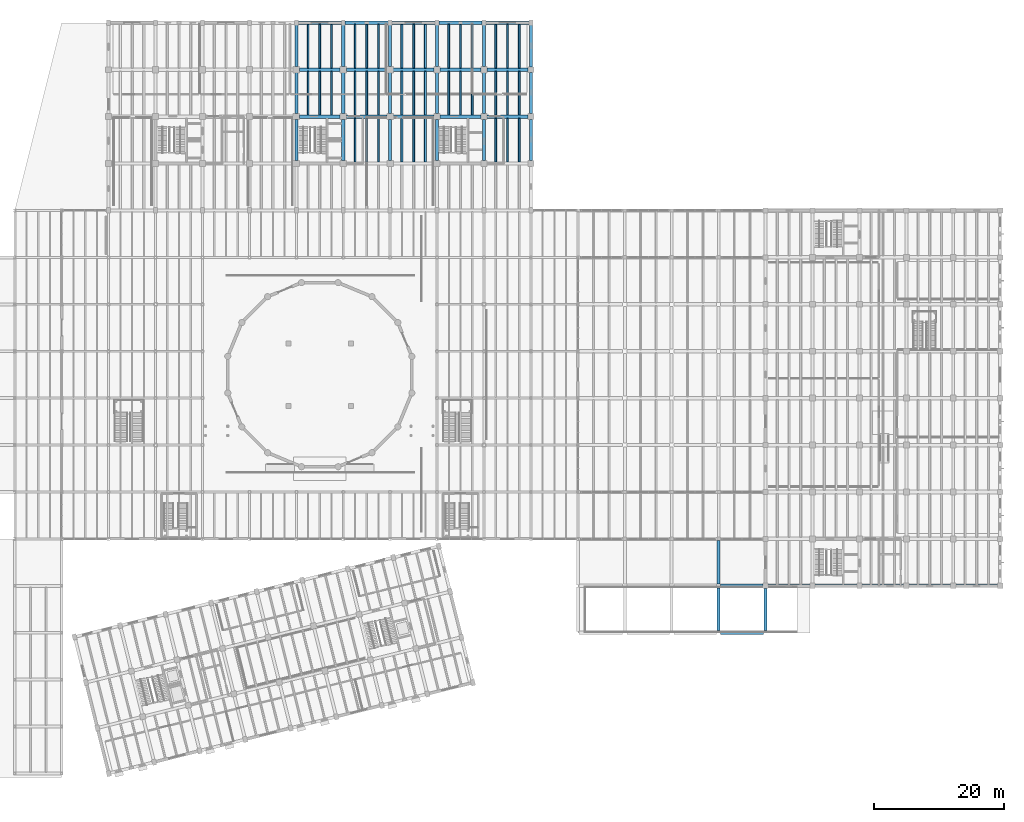
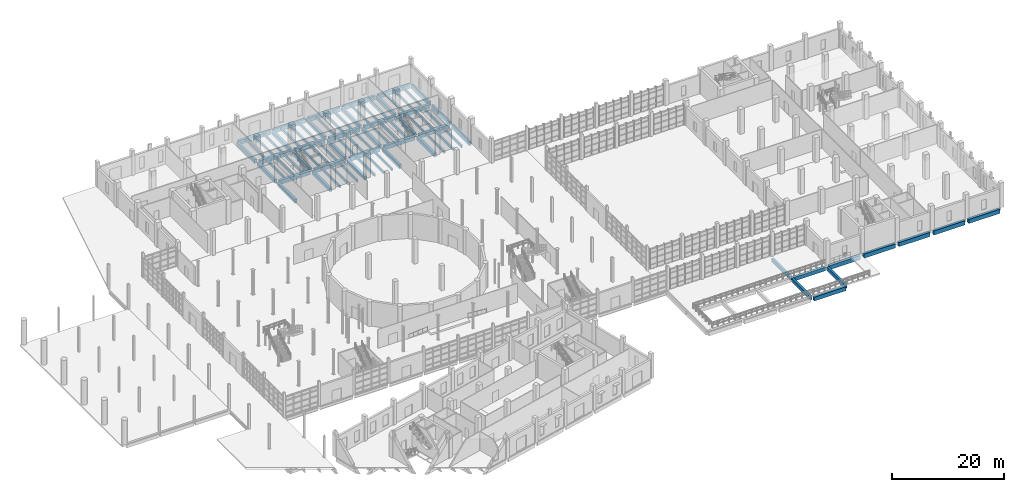
# One storey, part 41 of 79: 82 beams.
"""IFC4 building model written with IfcOpenShell, lengths in metres."""

from ifc_helpers import new_model, si_unit, direction, frame, origin, origin_2d, place, context, subcontext, project, spatial, rectangle, extrude, material, material_profile, profile_set, type_object, element, save


model = new_model("IFC4")

# Units and contexts
model_context = context("Model", 3, precision=1e-05, world=origin(), true_north=direction((0.0, 1.0)))
body_context = subcontext(model_context, "Body", "Model", "MODEL_VIEW")
ifc_project = project(units=[si_unit("LENGTHUNIT", "METRE"), si_unit("AREAUNIT", "SQUARE_METRE"), si_unit("VOLUMEUNIT", "CUBIC_METRE"), si_unit("PLANEANGLEUNIT", "RADIAN"), si_unit("MASSUNIT", "GRAM", prefix="KILO")], contexts=[model_context])

# Site, building, storey
site_placement = place(None, origin())
site = spatial("IfcSite", under=ifc_project, at=site_placement, CompositionType="ELEMENT")
building_placement = place(site_placement, origin())
building = spatial("IfcBuilding", under=site, at=building_placement, Name="Qiaolan Assembly House", CompositionType="ELEMENT")
storey_placement = place(building_placement, origin())
storey = spatial("IfcBuildingStorey", under=building, at=storey_placement, Name="L00", CompositionType="ELEMENT", Elevation=0.0)

# Beams
ifc_material_1 = material(Name="Concrete C40/50", Category="concrete")
ifc_material_profile_1 = material_profile(ifc_material_1, rectangle(XDim=0.449951171875, YDim=0.800048828125, at=origin_2d()), Name="RCB 450x800")
ifc_profile_set_1 = profile_set([ifc_material_profile_1], Name="Concrete C40/50")
beam_type_1 = type_object("IfcBeamType", Name="BM-RC-450x800", PredefinedType="BEAM", material=ifc_profile_set_1)
beam_1_placement = place(storey_placement, frame((129.60009765625, 21.9150390625, -0.739990234375), z_axis=(0.0, 1.0, 0.0), x_axis=(-1.0, 0.0, 0.0)))
element("IfcBeam", 1, at=beam_1_placement, inside=storey, type_object=beam_type_1, Name="GB-03 beam BMY-APR0-L00-03-00", PredefinedType="BEAM", context=body_context, shape_type="SweptSolid", body=[
    extrude(rectangle(XDim=0.449951171875, YDim=0.800048828125, at=origin_2d()), origin(), (0.0, 0.0, 1.0), 6.570068359375),
])
beam_2_placement = place(storey_placement, frame((129.60009765625, 29.114990234375, -0.739990234375), z_axis=(0.0, 1.0, 0.0), x_axis=(-1.0, 0.0, 0.0)))
element("IfcBeam", 2, at=beam_2_placement, inside=storey, type_object=beam_type_1, Name="GB-03 beam BMY-APR0-L00-03-01", PredefinedType="BEAM", context=body_context, shape_type="SweptSolid", body=[
    extrude(rectangle(XDim=0.449951171875, YDim=0.800048828125, at=origin_2d()), origin(), (0.0, 0.0, 1.0), 6.635009765625),
])
beam_3_placement = place(storey_placement, frame((136.800048828125, 21.9150390625, -0.739990234375), z_axis=(0.0, 1.0, 0.0), x_axis=(-1.0, 0.0, 0.0)))
element("IfcBeam", 3, at=beam_3_placement, inside=storey, type_object=beam_type_1, Name="GB-03 beam BMY-APR0-L00-04-00", PredefinedType="BEAM", context=body_context, shape_type="SweptSolid", body=[
    extrude(rectangle(XDim=0.449951171875, YDim=0.800048828125, at=origin_2d()), origin(), (0.0, 0.0, 1.0), 6.494873046875),
])
ifc_material_2 = material(Name="Concrete C45/55", Category="concrete")
ifc_material_profile_2 = material_profile(ifc_material_2, rectangle(XDim=0.47998046875, YDim=0.81005859375, at=origin_2d()), Name="RCB 480x810")
ifc_profile_set_2 = profile_set([ifc_material_profile_2], Name="Concrete C45/55")
beam_type_2 = type_object("IfcBeamType", Name="BM-RC-480x810", PredefinedType="BEAM", material=ifc_profile_set_2)
for number, where, z_axis, x_axis, name in (
    (4, (64.800048828125, 94.06494140625, -0.655029296875), (0.0, 1.0, 0.0), (-1.0, 0.0, 0.0), "GB-11 beam BMY-NW-L00-04-01"),
    (5, (64.800048828125, 101.264892578125, -0.655029296875), (0.0, 1.0, 0.0), (-1.0, 0.0, 0.0), "GB-11 beam BMY-NW-L00-04-02"),
):
    element("IfcBeam", number, at=place(storey_placement, frame(where, z_axis=z_axis, x_axis=x_axis)), inside=storey, type_object=beam_type_2, Name=name, PredefinedType="BEAM", context=body_context, shape_type="SweptSolid", body=[
        extrude(rectangle(XDim=0.47998046875, YDim=0.81005859375, at=origin_2d()), origin(), (0.0, 0.0, 1.0), 6.27001953125),
    ])
beam_4_placement = place(storey_placement, frame((64.800048828125, 108.465087890625, -0.655029296875), z_axis=(0.0, 1.0, 0.0), x_axis=(-1.0, 0.0, 0.0)))
element("IfcBeam", 6, at=beam_4_placement, inside=storey, type_object=beam_type_2, Name="GB-11 beam BMY-NW-L00-04-03", PredefinedType="BEAM", context=body_context, shape_type="SweptSolid", body=[
    extrude(rectangle(XDim=0.47998046875, YDim=0.81005859375, at=origin_2d()), origin(), (0.0, 0.0, 1.0), 6.44482421875),
])
for number, where, z_axis, x_axis, name in (
    (7, (72.0, 94.06494140625, -0.655029296875), (0.0, 1.0, 0.0), (-1.0, 0.0, 0.0), "GB-11 beam BMY-NW-L00-05-01"),
    (8, (72.0, 101.264892578125, -0.655029296875), (0.0, 1.0, 0.0), (-1.0, 0.0, 0.0), "GB-11 beam BMY-NW-L00-05-02"),
):
    element("IfcBeam", number, at=place(storey_placement, frame(where, z_axis=z_axis, x_axis=x_axis)), inside=storey, type_object=beam_type_2, Name=name, PredefinedType="BEAM", context=body_context, shape_type="SweptSolid", body=[
        extrude(rectangle(XDim=0.47998046875, YDim=0.81005859375, at=origin_2d()), origin(), (0.0, 0.0, 1.0), 6.27001953125),
    ])
beam_5_placement = place(storey_placement, frame((72.0, 108.465087890625, -0.655029296875), z_axis=(0.0, 1.0, 0.0), x_axis=(-1.0, 0.0, 0.0)))
element("IfcBeam", 9, at=beam_5_placement, inside=storey, type_object=beam_type_2, Name="GB-11 beam BMY-NW-L00-05-03", PredefinedType="BEAM", context=body_context, shape_type="SweptSolid", body=[
    extrude(rectangle(XDim=0.47998046875, YDim=0.81005859375, at=origin_2d()), origin(), (0.0, 0.0, 1.0), 6.44482421875),
])
for number, where, z_axis, x_axis, name in (
    (10, (79.199951171875, 94.06494140625, -0.655029296875), (0.0, 1.0, 0.0), (-1.0, 0.0, 0.0), "GB-11 beam BMY-NW-L00-06-01"),
    (11, (79.199951171875, 101.264892578125, -0.655029296875), (0.0, 1.0, 0.0), (-1.0, 0.0, 0.0), "GB-11 beam BMY-NW-L00-06-02"),
):
    element("IfcBeam", number, at=place(storey_placement, frame(where, z_axis=z_axis, x_axis=x_axis)), inside=storey, type_object=beam_type_2, Name=name, PredefinedType="BEAM", context=body_context, shape_type="SweptSolid", body=[
        extrude(rectangle(XDim=0.47998046875, YDim=0.81005859375, at=origin_2d()), origin(), (0.0, 0.0, 1.0), 6.27001953125),
    ])
beam_6_placement = place(storey_placement, frame((79.199951171875, 108.465087890625, -0.655029296875), z_axis=(0.0, 1.0, 0.0), x_axis=(-1.0, 0.0, 0.0)))
element("IfcBeam", 12, at=beam_6_placement, inside=storey, type_object=beam_type_2, Name="GB-11 beam BMY-NW-L00-06-03", PredefinedType="BEAM", context=body_context, shape_type="SweptSolid", body=[
    extrude(rectangle(XDim=0.47998046875, YDim=0.81005859375, at=origin_2d()), origin(), (0.0, 0.0, 1.0), 6.44482421875),
])
for number, where, z_axis, x_axis, name in (
    (13, (86.39990234375, 94.06494140625, -0.655029296875), (0.0, 1.0, 0.0), (-1.0, 0.0, 0.0), "GB-11 beam BMY-NW-L00-07-01"),
    (14, (86.39990234375, 101.264892578125, -0.655029296875), (0.0, 1.0, 0.0), (-1.0, 0.0, 0.0), "GB-11 beam BMY-NW-L00-07-02"),
):
    element("IfcBeam", number, at=place(storey_placement, frame(where, z_axis=z_axis, x_axis=x_axis)), inside=storey, type_object=beam_type_2, Name=name, PredefinedType="BEAM", context=body_context, shape_type="SweptSolid", body=[
        extrude(rectangle(XDim=0.47998046875, YDim=0.81005859375, at=origin_2d()), origin(), (0.0, 0.0, 1.0), 6.27001953125),
    ])
beam_7_placement = place(storey_placement, frame((86.39990234375, 108.465087890625, -0.655029296875), z_axis=(0.0, 1.0, 0.0), x_axis=(-1.0, 0.0, 0.0)))
element("IfcBeam", 15, at=beam_7_placement, inside=storey, type_object=beam_type_2, Name="GB-11 beam BMY-NW-L00-07-03", PredefinedType="BEAM", context=body_context, shape_type="SweptSolid", body=[
    extrude(rectangle(XDim=0.47998046875, YDim=0.81005859375, at=origin_2d()), origin(), (0.0, 0.0, 1.0), 6.44482421875),
])
for number, where, z_axis, x_axis, name in (
    (16, (93.60009765625, 94.06494140625, -0.655029296875), (0.0, 1.0, 0.0), (-1.0, 0.0, 0.0), "GB-11 beam BMY-NW-L00-08-01"),
    (17, (93.60009765625, 101.264892578125, -0.655029296875), (0.0, 1.0, 0.0), (-1.0, 0.0, 0.0), "GB-11 beam BMY-NW-L00-08-02"),
):
    element("IfcBeam", number, at=place(storey_placement, frame(where, z_axis=z_axis, x_axis=x_axis)), inside=storey, type_object=beam_type_2, Name=name, PredefinedType="BEAM", context=body_context, shape_type="SweptSolid", body=[
        extrude(rectangle(XDim=0.47998046875, YDim=0.81005859375, at=origin_2d()), origin(), (0.0, 0.0, 1.0), 6.27001953125),
    ])
beam_8_placement = place(storey_placement, frame((93.60009765625, 108.465087890625, -0.655029296875), z_axis=(0.0, 1.0, 0.0), x_axis=(-1.0, 0.0, 0.0)))
element("IfcBeam", 18, at=beam_8_placement, inside=storey, type_object=beam_type_2, Name="GB-11 beam BMY-NW-L00-08-03", PredefinedType="BEAM", context=body_context, shape_type="SweptSolid", body=[
    extrude(rectangle(XDim=0.47998046875, YDim=0.81005859375, at=origin_2d()), origin(), (0.0, 0.0, 1.0), 6.44482421875),
])
for number, where, z_axis, x_axis, name in (
    (19, (100.800048828125, 94.0400390625, -0.655029296875), (0.0, 1.0, 0.0), (-1.0, 0.0, 0.0), "GB-11 beam BMY-NW-L00-09-01"),
    (20, (100.800048828125, 101.239990234375, -0.655029296875), (0.0, 1.0, 0.0), (-1.0, 0.0, 0.0), "GB-11 beam BMY-NW-L00-09-02"),
):
    element("IfcBeam", number, at=place(storey_placement, frame(where, z_axis=z_axis, x_axis=x_axis)), inside=storey, type_object=beam_type_2, Name=name, PredefinedType="BEAM", context=body_context, shape_type="SweptSolid", body=[
        extrude(rectangle(XDim=0.47998046875, YDim=0.81005859375, at=origin_2d()), origin(), (0.0, 0.0, 1.0), 6.320068359375),
    ])
beam_9_placement = place(storey_placement, frame((100.800048828125, 108.43994140625, -0.655029296875), z_axis=(0.0, 1.0, 0.0), x_axis=(-1.0, 0.0, 0.0)))
element("IfcBeam", 21, at=beam_9_placement, inside=storey, type_object=beam_type_2, Name="GB-11 beam BMY-NW-L00-09-03", PredefinedType="BEAM", context=body_context, shape_type="SweptSolid", body=[
    extrude(rectangle(XDim=0.47998046875, YDim=0.81005859375, at=origin_2d()), origin(), (0.0, 0.0, 1.0), 6.469970703125),
])
ifc_material_profile_3 = material_profile(ifc_material_2, rectangle(XDim=0.5, YDim=0.85009765625, at=origin_2d()), Name="RCB 500x850")
ifc_profile_set_3 = profile_set([ifc_material_profile_3], Name="Concrete C45/55")
beam_type_3 = type_object("IfcBeamType", Name="BM-RC-500x850", PredefinedType="BEAM", material=ifc_profile_set_3)
beam_10_placement = place(storey_placement, frame((129.9150390625, 21.60009765625, -0.764892578125), z_axis=(1.0, 0.0, 0.0), x_axis=(0.0, 1.0, 0.0)))
element("IfcBeam", 22, at=beam_10_placement, inside=storey, type_object=beam_type_3, Name="GB-02 beam BMX-APR0-L00-03-00", PredefinedType="BEAM", context=body_context, shape_type="SweptSolid", body=[
    extrude(rectangle(XDim=0.5, YDim=0.85009765625, at=origin_2d()), origin(), (0.0, 0.0, 1.0), 6.570068359375),
])
beam_11_placement = place(storey_placement, frame((129.9150390625, 28.800048828125, -0.764892578125), z_axis=(1.0, 0.0, 0.0), x_axis=(0.0, 1.0, 0.0)))
element("IfcBeam", 23, at=beam_11_placement, inside=storey, type_object=beam_type_3, Name="GB-02 beam BMX-APR0-L00-03-01", PredefinedType="BEAM", context=body_context, shape_type="SweptSolid", body=[
    extrude(rectangle(XDim=0.5, YDim=0.85009765625, at=origin_2d()), origin(), (0.0, 0.0, 1.0), 6.494873046875),
])
ifc_material_profile_4 = material_profile(ifc_material_2, rectangle(XDim=0.52001953125, YDim=0.8798828125, at=origin_2d()), Name="RCB 520x880")
ifc_profile_set_4 = profile_set([ifc_material_profile_4], Name="Concrete C45/55")
beam_type_4 = type_object("IfcBeamType", Name="BM-RC-520x880", PredefinedType="BEAM", material=ifc_profile_set_4)
for number, where, z_axis, x_axis, name in (
    (24, (65.264892578125, 100.800048828125, -0.68994140625), (1.0, 0.0, 0.0), (0.0, 1.0, 0.0), "GB-10 beam BMX-NW-L00-04-02"),
    (25, (72.465087890625, 100.800048828125, -0.68994140625), (1.0, 0.0, 0.0), (0.0, 1.0, 0.0), "GB-10 beam BMX-NW-L00-05-02"),
    (26, (79.6650390625, 100.800048828125, -0.68994140625), (1.0, 0.0, 0.0), (0.0, 1.0, 0.0), "GB-10 beam BMX-NW-L00-06-02"),
    (27, (86.864990234375, 100.800048828125, -0.68994140625), (1.0, 0.0, 0.0), (0.0, 1.0, 0.0), "GB-10 beam BMX-NW-L00-07-02"),
):
    element("IfcBeam", number, at=place(storey_placement, frame(where, z_axis=z_axis, x_axis=x_axis)), inside=storey, type_object=beam_type_4, Name=name, PredefinedType="BEAM", context=body_context, shape_type="SweptSolid", body=[
        extrude(rectangle(XDim=0.52001953125, YDim=0.8798828125, at=origin_2d()), origin(), (0.0, 0.0, 1.0), 6.27001953125),
    ])
beam_12_placement = place(storey_placement, frame((94.06494140625, 100.800048828125, -0.68994140625), z_axis=(1.0, 0.0, 0.0), x_axis=(0.0, 1.0, 0.0)))
element("IfcBeam", 28, at=beam_12_placement, inside=storey, type_object=beam_type_4, Name="GB-10 beam BMX-NW-L00-08-02", PredefinedType="BEAM", context=body_context, shape_type="SweptSolid", body=[
    extrude(rectangle(XDim=0.52001953125, YDim=0.8798828125, at=origin_2d()), origin(), (0.0, 0.0, 1.0), 6.295166015625),
])
for number, where, z_axis, x_axis, name in (
    (29, (65.264892578125, 108.0, -0.68994140625), (1.0, 0.0, 0.0), (0.0, 1.0, 0.0), "GB-10 beam BMX-NW-L00-04-03"),
    (30, (72.465087890625, 108.0, -0.68994140625), (1.0, 0.0, 0.0), (0.0, 1.0, 0.0), "GB-10 beam BMX-NW-L00-05-03"),
    (31, (79.6650390625, 108.0, -0.68994140625), (1.0, 0.0, 0.0), (0.0, 1.0, 0.0), "GB-10 beam BMX-NW-L00-06-03"),
    (32, (86.864990234375, 108.0, -0.68994140625), (1.0, 0.0, 0.0), (0.0, 1.0, 0.0), "GB-10 beam BMX-NW-L00-07-03"),
):
    element("IfcBeam", number, at=place(storey_placement, frame(where, z_axis=z_axis, x_axis=x_axis)), inside=storey, type_object=beam_type_4, Name=name, PredefinedType="BEAM", context=body_context, shape_type="SweptSolid", body=[
        extrude(rectangle(XDim=0.52001953125, YDim=0.8798828125, at=origin_2d()), origin(), (0.0, 0.0, 1.0), 6.27001953125),
    ])
beam_13_placement = place(storey_placement, frame((94.06494140625, 108.0, -0.68994140625), z_axis=(1.0, 0.0, 0.0), x_axis=(0.0, 1.0, 0.0)))
element("IfcBeam", 33, at=beam_13_placement, inside=storey, type_object=beam_type_4, Name="GB-10 beam BMX-NW-L00-08-03", PredefinedType="BEAM", context=body_context, shape_type="SweptSolid", body=[
    extrude(rectangle(XDim=0.52001953125, YDim=0.8798828125, at=origin_2d()), origin(), (0.0, 0.0, 1.0), 6.295166015625),
])
for number, where, z_axis, x_axis, name in (
    (34, (65.090087890625, 115.199951171875, -0.68994140625), (1.0, 0.0, 0.0), (0.0, 1.0, 0.0), "GB-10 beam BMX-NW-L00-04-04"),
    (35, (72.2900390625, 115.199951171875, -0.68994140625), (1.0, 0.0, 0.0), (0.0, 1.0, 0.0), "GB-10 beam BMX-NW-L00-05-04"),
):
    element("IfcBeam", number, at=place(storey_placement, frame(where, z_axis=z_axis, x_axis=x_axis)), inside=storey, type_object=beam_type_4, Name=name, PredefinedType="BEAM", context=body_context, shape_type="SweptSolid", body=[
        extrude(rectangle(XDim=0.52001953125, YDim=0.8798828125, at=origin_2d()), origin(), (0.0, 0.0, 1.0), 6.619873046875),
    ])
for number, where, z_axis, x_axis, name in (
    (36, (79.489990234375, 115.199951171875, -0.68994140625), (1.0, 0.0, 0.0), (0.0, 1.0, 0.0), "GB-10 beam BMX-NW-L00-06-04"),
    (37, (86.68994140625, 115.199951171875, -0.68994140625), (1.0, 0.0, 0.0), (0.0, 1.0, 0.0), "GB-10 beam BMX-NW-L00-07-04"),
    (38, (93.889892578125, 115.199951171875, -0.68994140625), (1.0, 0.0, 0.0), (0.0, 1.0, 0.0), "GB-10 beam BMX-NW-L00-08-04"),
):
    element("IfcBeam", number, at=place(storey_placement, frame(where, z_axis=z_axis, x_axis=x_axis)), inside=storey, type_object=beam_type_4, Name=name, PredefinedType="BEAM", context=body_context, shape_type="SweptSolid", body=[
        extrude(rectangle(XDim=0.52001953125, YDim=0.8798828125, at=origin_2d()), origin(), (0.0, 0.0, 1.0), 6.6201171875),
    ])
ifc_material_profile_5 = material_profile(ifc_material_2, rectangle(XDim=0.550048828125, YDim=0.89990234375, at=origin_2d()), Name="RCB 550x900")
ifc_profile_set_5 = profile_set([ifc_material_profile_5], Name="Concrete C45/55")
beam_type_5 = type_object("IfcBeamType", Name="BM-RC-550x900", PredefinedType="BEAM", material=ifc_profile_set_5)
for number, where, z_axis, x_axis, name in (
    (39, (137.18994140625, 28.800048828125, -0.7900390625), (1.0, 0.0, 0.0), (0.0, 1.0, 0.0), "GB-01 beam BMX-LB-L00-00-00"),
    (40, (144.389892578125, 28.800048828125, -0.7900390625), (1.0, 0.0, 0.0), (0.0, 1.0, 0.0), "GB-01 beam BMX-LB-L00-01-00"),
):
    element("IfcBeam", number, at=place(storey_placement, frame(where, z_axis=z_axis, x_axis=x_axis)), inside=storey, type_object=beam_type_5, Name=name, PredefinedType="BEAM", context=body_context, shape_type="SweptSolid", body=[
        extrude(rectangle(XDim=0.550048828125, YDim=0.89990234375, at=origin_2d()), origin(), (0.0, 0.0, 1.0), 6.420166015625),
    ])
for number, where, z_axis, x_axis, name in (
    (41, (151.590087890625, 28.800048828125, -0.7900390625), (1.0, 0.0, 0.0), (0.0, 1.0, 0.0), "GB-01 beam BMX-LB-L00-02-00"),
    (42, (158.7900390625, 28.800048828125, -0.7900390625), (1.0, 0.0, 0.0), (0.0, 1.0, 0.0), "GB-01 beam BMX-LB-L00-03-00"),
    (43, (165.989990234375, 28.800048828125, -0.7900390625), (1.0, 0.0, 0.0), (0.0, 1.0, 0.0), "GB-01 beam BMX-LB-L00-04-00"),
):
    element("IfcBeam", number, at=place(storey_placement, frame(where, z_axis=z_axis, x_axis=x_axis)), inside=storey, type_object=beam_type_5, Name=name, PredefinedType="BEAM", context=body_context, shape_type="SweptSolid", body=[
        extrude(rectangle(XDim=0.550048828125, YDim=0.89990234375, at=origin_2d()), origin(), (0.0, 0.0, 1.0), 6.419921875),
    ])
ifc_material_profile_6 = material_profile(ifc_material_1, rectangle(XDim=0.280029296875, YDim=0.5400390625, at=origin_2d()), Name="RCB 280x540")
ifc_profile_set_6 = profile_set([ifc_material_profile_6], Name="Concrete C40/50")
beam_type_6 = type_object("IfcBeamType", Name="JST-RC-280x540", PredefinedType="JOIST", material=ifc_profile_set_6)
for number, where, z_axis, x_axis, name in (
    (44, (66.60009765625, 101.053955078125, -0.52001953125), (0.0, 1.0, 0.0), (-1.0, 0.0, 0.0), "RJ-04 beam JST-NW-L00-04-02-1"),
    (45, (68.39990234375, 101.053955078125, -0.52001953125), (0.0, 1.0, 0.0), (-1.0, 0.0, 0.0), "RJ-04 beam JST-NW-L00-04-02-2"),
    (46, (70.199951171875, 101.053955078125, -0.52001953125), (0.0, 1.0, 0.0), (-1.0, 0.0, 0.0), "RJ-04 beam JST-NW-L00-04-02-3"),
    (47, (66.60009765625, 108.25390625, -0.52001953125), (0.0, 1.0, 0.0), (-1.0, 0.0, 0.0), "RJ-04 beam JST-NW-L00-04-03-1"),
    (48, (68.39990234375, 108.25390625, -0.52001953125), (0.0, 1.0, 0.0), (-1.0, 0.0, 0.0), "RJ-04 beam JST-NW-L00-04-03-2"),
    (49, (70.199951171875, 108.25390625, -0.52001953125), (0.0, 1.0, 0.0), (-1.0, 0.0, 0.0), "RJ-04 beam JST-NW-L00-04-03-3"),
):
    element("IfcBeam", number, at=place(storey_placement, frame(where, z_axis=z_axis, x_axis=x_axis)), inside=storey, type_object=beam_type_6, Name=name, PredefinedType="JOIST", context=body_context, shape_type="SweptSolid", body=[
        extrude(rectangle(XDim=0.280029296875, YDim=0.5400390625, at=origin_2d()), origin(), (0.0, 0.0, 1.0), 6.692138671875),
    ])
for number, where, z_axis, x_axis, name in (
    (50, (73.800048828125, 93.85400390625, -0.52001953125), (0.0, 1.0, 0.0), (-1.0, 0.0, 0.0), "RJ-04 beam JST-NW-L00-05-01-1"),
    (51, (75.60009765625, 93.85400390625, -0.52001953125), (0.0, 1.0, 0.0), (-1.0, 0.0, 0.0), "RJ-04 beam JST-NW-L00-05-01-2"),
    (52, (77.39990234375, 93.85400390625, -0.52001953125), (0.0, 1.0, 0.0), (-1.0, 0.0, 0.0), "RJ-04 beam JST-NW-L00-05-01-3"),
):
    element("IfcBeam", number, at=place(storey_placement, frame(where, z_axis=z_axis, x_axis=x_axis)), inside=storey, type_object=beam_type_6, Name=name, PredefinedType="JOIST", context=body_context, shape_type="SweptSolid", body=[
        extrude(rectangle(XDim=0.280029296875, YDim=0.5400390625, at=origin_2d()), origin(), (0.0, 0.0, 1.0), 6.69189453125),
    ])
for number, where, z_axis, x_axis, name in (
    (53, (73.800048828125, 101.053955078125, -0.52001953125), (0.0, 1.0, 0.0), (-1.0, 0.0, 0.0), "RJ-04 beam JST-NW-L00-05-02-1"),
    (54, (75.60009765625, 101.053955078125, -0.52001953125), (0.0, 1.0, 0.0), (-1.0, 0.0, 0.0), "RJ-04 beam JST-NW-L00-05-02-2"),
    (55, (77.39990234375, 101.053955078125, -0.52001953125), (0.0, 1.0, 0.0), (-1.0, 0.0, 0.0), "RJ-04 beam JST-NW-L00-05-02-3"),
    (56, (73.800048828125, 108.25390625, -0.52001953125), (0.0, 1.0, 0.0), (-1.0, 0.0, 0.0), "RJ-04 beam JST-NW-L00-05-03-1"),
    (57, (75.60009765625, 108.25390625, -0.52001953125), (0.0, 1.0, 0.0), (-1.0, 0.0, 0.0), "RJ-04 beam JST-NW-L00-05-03-2"),
    (58, (77.39990234375, 108.25390625, -0.52001953125), (0.0, 1.0, 0.0), (-1.0, 0.0, 0.0), "RJ-04 beam JST-NW-L00-05-03-3"),
):
    element("IfcBeam", number, at=place(storey_placement, frame(where, z_axis=z_axis, x_axis=x_axis)), inside=storey, type_object=beam_type_6, Name=name, PredefinedType="JOIST", context=body_context, shape_type="SweptSolid", body=[
        extrude(rectangle(XDim=0.280029296875, YDim=0.5400390625, at=origin_2d()), origin(), (0.0, 0.0, 1.0), 6.692138671875),
    ])
for number, where, z_axis, x_axis, name in (
    (59, (81.0, 93.85400390625, -0.52001953125), (0.0, 1.0, 0.0), (-1.0, 0.0, 0.0), "RJ-04 beam JST-NW-L00-06-01-1"),
    (60, (82.800048828125, 93.85400390625, -0.52001953125), (0.0, 1.0, 0.0), (-1.0, 0.0, 0.0), "RJ-04 beam JST-NW-L00-06-01-2"),
    (61, (84.60009765625, 93.85400390625, -0.52001953125), (0.0, 1.0, 0.0), (-1.0, 0.0, 0.0), "RJ-04 beam JST-NW-L00-06-01-3"),
):
    element("IfcBeam", number, at=place(storey_placement, frame(where, z_axis=z_axis, x_axis=x_axis)), inside=storey, type_object=beam_type_6, Name=name, PredefinedType="JOIST", context=body_context, shape_type="SweptSolid", body=[
        extrude(rectangle(XDim=0.280029296875, YDim=0.5400390625, at=origin_2d()), origin(), (0.0, 0.0, 1.0), 6.69189453125),
    ])
for number, where, z_axis, x_axis, name in (
    (62, (81.0, 101.053955078125, -0.52001953125), (0.0, 1.0, 0.0), (-1.0, 0.0, 0.0), "RJ-04 beam JST-NW-L00-06-02-1"),
    (63, (82.800048828125, 101.053955078125, -0.52001953125), (0.0, 1.0, 0.0), (-1.0, 0.0, 0.0), "RJ-04 beam JST-NW-L00-06-02-2"),
    (64, (84.60009765625, 101.053955078125, -0.52001953125), (0.0, 1.0, 0.0), (-1.0, 0.0, 0.0), "RJ-04 beam JST-NW-L00-06-02-3"),
    (65, (81.0, 108.25390625, -0.52001953125), (0.0, 1.0, 0.0), (-1.0, 0.0, 0.0), "RJ-04 beam JST-NW-L00-06-03-1"),
    (66, (82.800048828125, 108.25390625, -0.52001953125), (0.0, 1.0, 0.0), (-1.0, 0.0, 0.0), "RJ-04 beam JST-NW-L00-06-03-2"),
    (67, (84.60009765625, 108.25390625, -0.52001953125), (0.0, 1.0, 0.0), (-1.0, 0.0, 0.0), "RJ-04 beam JST-NW-L00-06-03-3"),
    (68, (88.199951171875, 101.053955078125, -0.52001953125), (0.0, 1.0, 0.0), (-1.0, 0.0, 0.0), "RJ-04 beam JST-NW-L00-07-02-1"),
    (69, (90.0, 101.053955078125, -0.52001953125), (0.0, 1.0, 0.0), (-1.0, 0.0, 0.0), "RJ-04 beam JST-NW-L00-07-02-2"),
    (70, (91.800048828125, 101.053955078125, -0.52001953125), (0.0, 1.0, 0.0), (-1.0, 0.0, 0.0), "RJ-04 beam JST-NW-L00-07-02-3"),
    (71, (88.199951171875, 108.25390625, -0.52001953125), (0.0, 1.0, 0.0), (-1.0, 0.0, 0.0), "RJ-04 beam JST-NW-L00-07-03-1"),
    (72, (90.0, 108.25390625, -0.52001953125), (0.0, 1.0, 0.0), (-1.0, 0.0, 0.0), "RJ-04 beam JST-NW-L00-07-03-2"),
    (73, (91.800048828125, 108.25390625, -0.52001953125), (0.0, 1.0, 0.0), (-1.0, 0.0, 0.0), "RJ-04 beam JST-NW-L00-07-03-3"),
):
    element("IfcBeam", number, at=place(storey_placement, frame(where, z_axis=z_axis, x_axis=x_axis)), inside=storey, type_object=beam_type_6, Name=name, PredefinedType="JOIST", context=body_context, shape_type="SweptSolid", body=[
        extrude(rectangle(XDim=0.280029296875, YDim=0.5400390625, at=origin_2d()), origin(), (0.0, 0.0, 1.0), 6.692138671875),
    ])
for number, where, z_axis, x_axis, name in (
    (74, (95.39990234375, 93.85400390625, -0.52001953125), (0.0, 1.0, 0.0), (-1.0, 0.0, 0.0), "RJ-04 beam JST-NW-L00-08-01-1"),
    (75, (97.199951171875, 93.85400390625, -0.52001953125), (0.0, 1.0, 0.0), (-1.0, 0.0, 0.0), "RJ-04 beam JST-NW-L00-08-01-2"),
    (76, (99.0, 93.85400390625, -0.52001953125), (0.0, 1.0, 0.0), (-1.0, 0.0, 0.0), "RJ-04 beam JST-NW-L00-08-01-3"),
):
    element("IfcBeam", number, at=place(storey_placement, frame(where, z_axis=z_axis, x_axis=x_axis)), inside=storey, type_object=beam_type_6, Name=name, PredefinedType="JOIST", context=body_context, shape_type="SweptSolid", body=[
        extrude(rectangle(XDim=0.280029296875, YDim=0.5400390625, at=origin_2d()), origin(), (0.0, 0.0, 1.0), 6.69189453125),
    ])
for number, where, z_axis, x_axis, name in (
    (77, (95.39990234375, 101.053955078125, -0.52001953125), (0.0, 1.0, 0.0), (-1.0, 0.0, 0.0), "RJ-04 beam JST-NW-L00-08-02-1"),
    (78, (97.199951171875, 101.053955078125, -0.52001953125), (0.0, 1.0, 0.0), (-1.0, 0.0, 0.0), "RJ-04 beam JST-NW-L00-08-02-2"),
    (79, (99.0, 101.053955078125, -0.52001953125), (0.0, 1.0, 0.0), (-1.0, 0.0, 0.0), "RJ-04 beam JST-NW-L00-08-02-3"),
    (80, (95.39990234375, 108.25390625, -0.52001953125), (0.0, 1.0, 0.0), (-1.0, 0.0, 0.0), "RJ-04 beam JST-NW-L00-08-03-1"),
    (81, (97.199951171875, 108.25390625, -0.52001953125), (0.0, 1.0, 0.0), (-1.0, 0.0, 0.0), "RJ-04 beam JST-NW-L00-08-03-2"),
    (82, (99.0, 108.25390625, -0.52001953125), (0.0, 1.0, 0.0), (-1.0, 0.0, 0.0), "RJ-04 beam JST-NW-L00-08-03-3"),
):
    element("IfcBeam", number, at=place(storey_placement, frame(where, z_axis=z_axis, x_axis=x_axis)), inside=storey, type_object=beam_type_6, Name=name, PredefinedType="JOIST", context=body_context, shape_type="SweptSolid", body=[
        extrude(rectangle(XDim=0.280029296875, YDim=0.5400390625, at=origin_2d()), origin(), (0.0, 0.0, 1.0), 6.692138671875),
    ])

save(model, "model.ifc")
